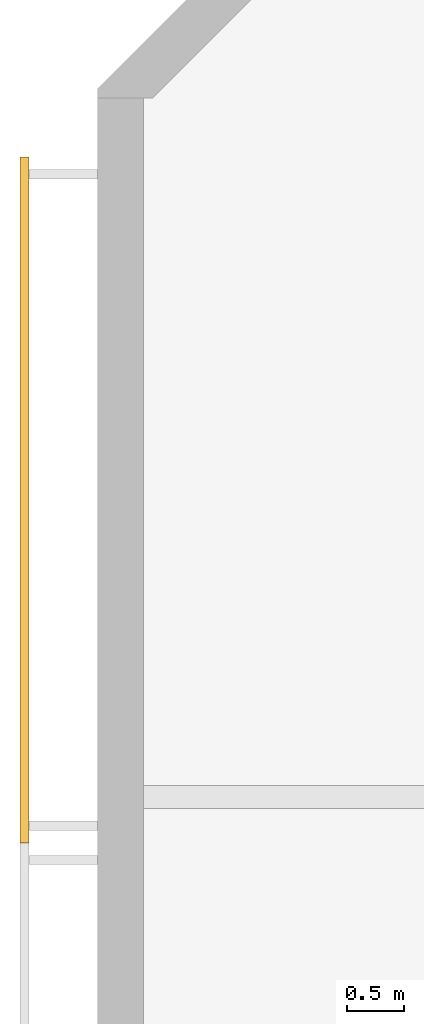
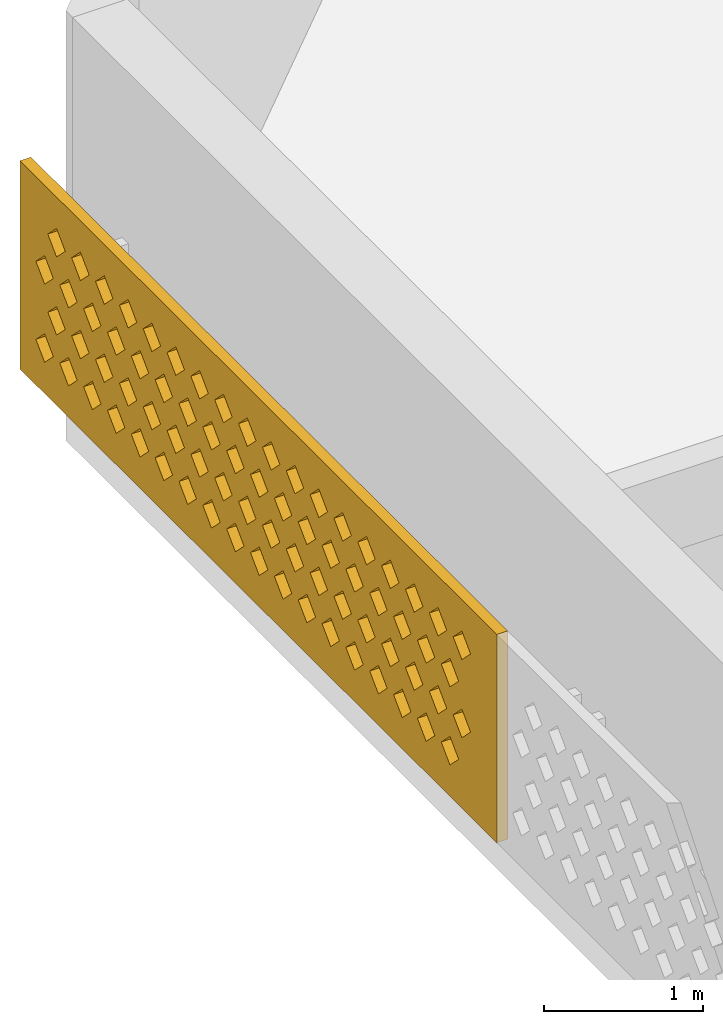
# One storey, part 12 of 18: 1 covering.
"""IFC4 building model written with IfcOpenShell, lengths in metres."""

from ifc_helpers import new_model, si_unit, direction, frame, origin, place, context, subcontext, project, spatial, polyline, outline, extrude, source, transform, mapped, material, material_profile, profile_set, type_object, element, save


model = new_model("IFC4")

# Units and contexts
model_context = context("Model", 3, precision=1e-05, world=origin(), true_north=direction((0.0, 1.0)))
body_context = subcontext(model_context, "Body", "Model", "MODEL_VIEW")
ifc_project = project(units=[si_unit("LENGTHUNIT", "METRE"), si_unit("AREAUNIT", "SQUARE_METRE"), si_unit("VOLUMEUNIT", "CUBIC_METRE"), si_unit("PLANEANGLEUNIT", "RADIAN"), si_unit("MASSUNIT", "GRAM", prefix="KILO")], contexts=[model_context])

# Site, building, storey
site_placement = place(None, origin())
site = spatial("IfcSite", under=ifc_project, at=site_placement, CompositionType="ELEMENT")
building_placement = place(site_placement, origin())
building = spatial("IfcBuilding", under=site, at=building_placement, Name="Poui Terraces", CompositionType="ELEMENT")
storey_placement = place(building_placement, frame((0.0, 0.0, 275.699951171875)))
storey = spatial("IfcBuildingStorey", under=building, at=storey_placement, Name="L76 CROWN", CompositionType="ELEMENT", Elevation=275.699951171875)

# Covering
ifc_material = material(Name="Terracotta screen", Category="masonry")
ifc_material_profile = material_profile(ifc_material, outline(polyline([(-3.0, -0.800048828125), (3.0, -0.800048828125), (3.0, 0.800048828125), (-3.0, 0.800048828125), (-3.0, -0.800048828125)]), holes=[polyline([(-2.800048828125, -0.449951171875), (-2.68994140625, -0.56005859375), (-2.580078125, -0.449951171875), (-2.68994140625, -0.340087890625), (-2.800048828125, -0.449951171875)]), polyline([(-2.5, -0.449951171875), (-2.389892578125, -0.56005859375), (-2.280029296875, -0.449951171875), (-2.389892578125, -0.340087890625), (-2.5, -0.449951171875)]), polyline([(-2.199951171875, -0.449951171875), (-2.090087890625, -0.56005859375), (-1.97998046875, -0.449951171875), (-2.090087890625, -0.340087890625), (-2.199951171875, -0.449951171875)]), polyline([(-1.89990234375, -0.449951171875), (-1.7900390625, -0.56005859375), (-1.679931640625, -0.449951171875), (-1.7900390625, -0.340087890625), (-1.89990234375, -0.449951171875)]), polyline([(-1.60009765625, -0.449951171875), (-1.489990234375, -0.56005859375), (-1.3798828125, -0.449951171875), (-1.489990234375, -0.340087890625), (-1.60009765625, -0.449951171875)]), polyline([(-1.300048828125, -0.449951171875), (-1.18994140625, -0.56005859375), (-1.080078125, -0.449951171875), (-1.18994140625, -0.340087890625), (-1.300048828125, -0.449951171875)]), polyline([(-1.0, -0.449951171875), (-0.889892578125, -0.56005859375), (-0.780029296875, -0.449951171875), (-0.889892578125, -0.340087890625), (-1.0, -0.449951171875)]), polyline([(-0.699951171875, -0.449951171875), (-0.590087890625, -0.56005859375), (-0.47998046875, -0.449951171875), (-0.590087890625, -0.340087890625), (-0.699951171875, -0.449951171875)]), polyline([(-0.39990234375, -0.449951171875), (-0.2900390625, -0.56005859375), (-0.179931640625, -0.449951171875), (-0.2900390625, -0.340087890625), (-0.39990234375, -0.449951171875)]), polyline([(-0.10009765625, -0.449951171875), (0.010009765625, -0.56005859375), (0.1201171875, -0.449951171875), (0.010009765625, -0.340087890625), (-0.10009765625, -0.449951171875)]), polyline([(0.199951171875, -0.449951171875), (0.31005859375, -0.56005859375), (0.419921875, -0.449951171875), (0.31005859375, -0.340087890625), (0.199951171875, -0.449951171875)]), polyline([(0.5, -0.449951171875), (0.610107421875, -0.56005859375), (0.719970703125, -0.449951171875), (0.610107421875, -0.340087890625), (0.5, -0.449951171875)]), polyline([(0.800048828125, -0.449951171875), (0.909912109375, -0.56005859375), (1.02001953125, -0.449951171875), (0.909912109375, -0.340087890625), (0.800048828125, -0.449951171875)]), polyline([(1.10009765625, -0.449951171875), (1.2099609375, -0.56005859375), (1.320068359375, -0.449951171875), (1.2099609375, -0.340087890625), (1.10009765625, -0.449951171875)]), polyline([(1.39990234375, -0.449951171875), (1.510009765625, -0.56005859375), (1.6201171875, -0.449951171875), (1.510009765625, -0.340087890625), (1.39990234375, -0.449951171875)]), polyline([(1.699951171875, -0.449951171875), (1.81005859375, -0.56005859375), (1.919921875, -0.449951171875), (1.81005859375, -0.340087890625), (1.699951171875, -0.449951171875)]), polyline([(2.0, -0.449951171875), (2.110107421875, -0.56005859375), (2.219970703125, -0.449951171875), (2.110107421875, -0.340087890625), (2.0, -0.449951171875)]), polyline([(2.300048828125, -0.449951171875), (2.409912109375, -0.56005859375), (2.52001953125, -0.449951171875), (2.409912109375, -0.340087890625), (2.300048828125, -0.449951171875)]), polyline([(-2.64990234375, -0.14990234375), (-2.5400390625, -0.260009765625), (-2.429931640625, -0.14990234375), (-2.5400390625, -0.0400390625), (-2.64990234375, -0.14990234375)]), polyline([(-2.35009765625, -0.14990234375), (-2.239990234375, -0.260009765625), (-2.1298828125, -0.14990234375), (-2.239990234375, -0.0400390625), (-2.35009765625, -0.14990234375)]), polyline([(-2.050048828125, -0.14990234375), (-1.93994140625, -0.260009765625), (-1.830078125, -0.14990234375), (-1.93994140625, -0.0400390625), (-2.050048828125, -0.14990234375)]), polyline([(-1.75, -0.14990234375), (-1.639892578125, -0.260009765625), (-1.530029296875, -0.14990234375), (-1.639892578125, -0.0400390625), (-1.75, -0.14990234375)]), polyline([(-1.449951171875, -0.14990234375), (-1.340087890625, -0.260009765625), (-1.22998046875, -0.14990234375), (-1.340087890625, -0.0400390625), (-1.449951171875, -0.14990234375)]), polyline([(-1.14990234375, -0.14990234375), (-1.0400390625, -0.260009765625), (-0.929931640625, -0.14990234375), (-1.0400390625, -0.0400390625), (-1.14990234375, -0.14990234375)]), polyline([(-0.85009765625, -0.14990234375), (-0.739990234375, -0.260009765625), (-0.6298828125, -0.14990234375), (-0.739990234375, -0.0400390625), (-0.85009765625, -0.14990234375)]), polyline([(-0.550048828125, -0.14990234375), (-0.43994140625, -0.260009765625), (-0.330078125, -0.14990234375), (-0.43994140625, -0.0400390625), (-0.550048828125, -0.14990234375)]), polyline([(-0.25, -0.14990234375), (-0.139892578125, -0.260009765625), (-0.030029296875, -0.14990234375), (-0.139892578125, -0.0400390625), (-0.25, -0.14990234375)]), polyline([(0.050048828125, -0.14990234375), (0.159912109375, -0.260009765625), (0.27001953125, -0.14990234375), (0.159912109375, -0.0400390625), (0.050048828125, -0.14990234375)]), polyline([(0.35009765625, -0.14990234375), (0.4599609375, -0.260009765625), (0.570068359375, -0.14990234375), (0.4599609375, -0.0400390625), (0.35009765625, -0.14990234375)]), polyline([(0.64990234375, -0.14990234375), (0.760009765625, -0.260009765625), (0.8701171875, -0.14990234375), (0.760009765625, -0.0400390625), (0.64990234375, -0.14990234375)]), polyline([(0.949951171875, -0.14990234375), (1.06005859375, -0.260009765625), (1.169921875, -0.14990234375), (1.06005859375, -0.0400390625), (0.949951171875, -0.14990234375)]), polyline([(1.25, -0.14990234375), (1.360107421875, -0.260009765625), (1.469970703125, -0.14990234375), (1.360107421875, -0.0400390625), (1.25, -0.14990234375)]), polyline([(1.550048828125, -0.14990234375), (1.659912109375, -0.260009765625), (1.77001953125, -0.14990234375), (1.659912109375, -0.0400390625), (1.550048828125, -0.14990234375)]), polyline([(1.85009765625, -0.14990234375), (1.9599609375, -0.260009765625), (2.070068359375, -0.14990234375), (1.9599609375, -0.0400390625), (1.85009765625, -0.14990234375)]), polyline([(2.14990234375, -0.14990234375), (2.260009765625, -0.260009765625), (2.3701171875, -0.14990234375), (2.260009765625, -0.0400390625), (2.14990234375, -0.14990234375)]), polyline([(2.449951171875, -0.14990234375), (2.56005859375, -0.260009765625), (2.669921875, -0.14990234375), (2.56005859375, -0.0400390625), (2.449951171875, -0.14990234375)]), polyline([(-2.800048828125, 0.14990234375), (-2.68994140625, 0.0400390625), (-2.580078125, 0.14990234375), (-2.68994140625, 0.260009765625), (-2.800048828125, 0.14990234375)]), polyline([(-2.5, 0.14990234375), (-2.389892578125, 0.0400390625), (-2.280029296875, 0.14990234375), (-2.389892578125, 0.260009765625), (-2.5, 0.14990234375)]), polyline([(-2.199951171875, 0.14990234375), (-2.090087890625, 0.0400390625), (-1.97998046875, 0.14990234375), (-2.090087890625, 0.260009765625), (-2.199951171875, 0.14990234375)]), polyline([(-1.89990234375, 0.14990234375), (-1.7900390625, 0.0400390625), (-1.679931640625, 0.14990234375), (-1.7900390625, 0.260009765625), (-1.89990234375, 0.14990234375)]), polyline([(-1.60009765625, 0.14990234375), (-1.489990234375, 0.0400390625), (-1.3798828125, 0.14990234375), (-1.489990234375, 0.260009765625), (-1.60009765625, 0.14990234375)]), polyline([(-1.300048828125, 0.14990234375), (-1.18994140625, 0.0400390625), (-1.080078125, 0.14990234375), (-1.18994140625, 0.260009765625), (-1.300048828125, 0.14990234375)]), polyline([(-1.0, 0.14990234375), (-0.889892578125, 0.0400390625), (-0.780029296875, 0.14990234375), (-0.889892578125, 0.260009765625), (-1.0, 0.14990234375)]), polyline([(-0.699951171875, 0.14990234375), (-0.590087890625, 0.0400390625), (-0.47998046875, 0.14990234375), (-0.590087890625, 0.260009765625), (-0.699951171875, 0.14990234375)]), polyline([(-0.39990234375, 0.14990234375), (-0.2900390625, 0.0400390625), (-0.179931640625, 0.14990234375), (-0.2900390625, 0.260009765625), (-0.39990234375, 0.14990234375)]), polyline([(-0.10009765625, 0.14990234375), (0.010009765625, 0.0400390625), (0.1201171875, 0.14990234375), (0.010009765625, 0.260009765625), (-0.10009765625, 0.14990234375)]), polyline([(0.199951171875, 0.14990234375), (0.31005859375, 0.0400390625), (0.419921875, 0.14990234375), (0.31005859375, 0.260009765625), (0.199951171875, 0.14990234375)]), polyline([(0.5, 0.14990234375), (0.610107421875, 0.0400390625), (0.719970703125, 0.14990234375), (0.610107421875, 0.260009765625), (0.5, 0.14990234375)]), polyline([(0.800048828125, 0.14990234375), (0.909912109375, 0.0400390625), (1.02001953125, 0.14990234375), (0.909912109375, 0.260009765625), (0.800048828125, 0.14990234375)]), polyline([(1.10009765625, 0.14990234375), (1.2099609375, 0.0400390625), (1.320068359375, 0.14990234375), (1.2099609375, 0.260009765625), (1.10009765625, 0.14990234375)]), polyline([(1.39990234375, 0.14990234375), (1.510009765625, 0.0400390625), (1.6201171875, 0.14990234375), (1.510009765625, 0.260009765625), (1.39990234375, 0.14990234375)]), polyline([(1.699951171875, 0.14990234375), (1.81005859375, 0.0400390625), (1.919921875, 0.14990234375), (1.81005859375, 0.260009765625), (1.699951171875, 0.14990234375)]), polyline([(2.0, 0.14990234375), (2.110107421875, 0.0400390625), (2.219970703125, 0.14990234375), (2.110107421875, 0.260009765625), (2.0, 0.14990234375)]), polyline([(2.300048828125, 0.14990234375), (2.409912109375, 0.0400390625), (2.52001953125, 0.14990234375), (2.409912109375, 0.260009765625), (2.300048828125, 0.14990234375)]), polyline([(-2.64990234375, 0.449951171875), (-2.5400390625, 0.340087890625), (-2.429931640625, 0.449951171875), (-2.5400390625, 0.56005859375), (-2.64990234375, 0.449951171875)]), polyline([(-2.35009765625, 0.449951171875), (-2.239990234375, 0.340087890625), (-2.1298828125, 0.449951171875), (-2.239990234375, 0.56005859375), (-2.35009765625, 0.449951171875)]), polyline([(-2.050048828125, 0.449951171875), (-1.93994140625, 0.340087890625), (-1.830078125, 0.449951171875), (-1.93994140625, 0.56005859375), (-2.050048828125, 0.449951171875)]), polyline([(-1.75, 0.449951171875), (-1.639892578125, 0.340087890625), (-1.530029296875, 0.449951171875), (-1.639892578125, 0.56005859375), (-1.75, 0.449951171875)]), polyline([(-1.449951171875, 0.449951171875), (-1.340087890625, 0.340087890625), (-1.22998046875, 0.449951171875), (-1.340087890625, 0.56005859375), (-1.449951171875, 0.449951171875)]), polyline([(-1.14990234375, 0.449951171875), (-1.0400390625, 0.340087890625), (-0.929931640625, 0.449951171875), (-1.0400390625, 0.56005859375), (-1.14990234375, 0.449951171875)]), polyline([(-0.85009765625, 0.449951171875), (-0.739990234375, 0.340087890625), (-0.6298828125, 0.449951171875), (-0.739990234375, 0.56005859375), (-0.85009765625, 0.449951171875)]), polyline([(-0.550048828125, 0.449951171875), (-0.43994140625, 0.340087890625), (-0.330078125, 0.449951171875), (-0.43994140625, 0.56005859375), (-0.550048828125, 0.449951171875)]), polyline([(-0.25, 0.449951171875), (-0.139892578125, 0.340087890625), (-0.030029296875, 0.449951171875), (-0.139892578125, 0.56005859375), (-0.25, 0.449951171875)]), polyline([(0.050048828125, 0.449951171875), (0.159912109375, 0.340087890625), (0.27001953125, 0.449951171875), (0.159912109375, 0.56005859375), (0.050048828125, 0.449951171875)]), polyline([(0.35009765625, 0.449951171875), (0.4599609375, 0.340087890625), (0.570068359375, 0.449951171875), (0.4599609375, 0.56005859375), (0.35009765625, 0.449951171875)]), polyline([(0.64990234375, 0.449951171875), (0.760009765625, 0.340087890625), (0.8701171875, 0.449951171875), (0.760009765625, 0.56005859375), (0.64990234375, 0.449951171875)]), polyline([(0.949951171875, 0.449951171875), (1.06005859375, 0.340087890625), (1.169921875, 0.449951171875), (1.06005859375, 0.56005859375), (0.949951171875, 0.449951171875)]), polyline([(1.25, 0.449951171875), (1.360107421875, 0.340087890625), (1.469970703125, 0.449951171875), (1.360107421875, 0.56005859375), (1.25, 0.449951171875)]), polyline([(1.550048828125, 0.449951171875), (1.659912109375, 0.340087890625), (1.77001953125, 0.449951171875), (1.659912109375, 0.56005859375), (1.550048828125, 0.449951171875)]), polyline([(1.85009765625, 0.449951171875), (1.9599609375, 0.340087890625), (2.070068359375, 0.449951171875), (1.9599609375, 0.56005859375), (1.85009765625, 0.449951171875)]), polyline([(2.14990234375, 0.449951171875), (2.260009765625, 0.340087890625), (2.3701171875, 0.449951171875), (2.260009765625, 0.56005859375), (2.14990234375, 0.449951171875)]), polyline([(2.449951171875, 0.449951171875), (2.56005859375, 0.340087890625), (2.669921875, 0.449951171875), (2.56005859375, 0.56005859375), (2.449951171875, 0.449951171875)])]), Name="TERRACOTTA SOLAR SCREEN 6000X1600")
ifc_profile_set = profile_set([ifc_material_profile], Name="Terracotta screen")
covering_type = type_object("IfcCoveringType", Name="TERRACOTTA SOLAR SCREEN 6000X1600", PredefinedType="CLADDING", material=ifc_profile_set)
shared_shape = source(origin(), body_context, "Body", "SweptSolid", [
    extrude(outline(polyline([(-3.0, -0.800048828125), (3.0, -0.800048828125), (3.0, 0.800048828125), (-3.0, 0.800048828125), (-3.0, -0.800048828125)]), holes=[polyline([(-2.800048828125, -0.449951171875), (-2.68994140625, -0.56005859375), (-2.580078125, -0.449951171875), (-2.68994140625, -0.340087890625), (-2.800048828125, -0.449951171875)]), polyline([(-2.5, -0.449951171875), (-2.389892578125, -0.56005859375), (-2.280029296875, -0.449951171875), (-2.389892578125, -0.340087890625), (-2.5, -0.449951171875)]), polyline([(-2.199951171875, -0.449951171875), (-2.090087890625, -0.56005859375), (-1.97998046875, -0.449951171875), (-2.090087890625, -0.340087890625), (-2.199951171875, -0.449951171875)]), polyline([(-1.89990234375, -0.449951171875), (-1.7900390625, -0.56005859375), (-1.679931640625, -0.449951171875), (-1.7900390625, -0.340087890625), (-1.89990234375, -0.449951171875)]), polyline([(-1.60009765625, -0.449951171875), (-1.489990234375, -0.56005859375), (-1.3798828125, -0.449951171875), (-1.489990234375, -0.340087890625), (-1.60009765625, -0.449951171875)]), polyline([(-1.300048828125, -0.449951171875), (-1.18994140625, -0.56005859375), (-1.080078125, -0.449951171875), (-1.18994140625, -0.340087890625), (-1.300048828125, -0.449951171875)]), polyline([(-1.0, -0.449951171875), (-0.889892578125, -0.56005859375), (-0.780029296875, -0.449951171875), (-0.889892578125, -0.340087890625), (-1.0, -0.449951171875)]), polyline([(-0.699951171875, -0.449951171875), (-0.590087890625, -0.56005859375), (-0.47998046875, -0.449951171875), (-0.590087890625, -0.340087890625), (-0.699951171875, -0.449951171875)]), polyline([(-0.39990234375, -0.449951171875), (-0.2900390625, -0.56005859375), (-0.179931640625, -0.449951171875), (-0.2900390625, -0.340087890625), (-0.39990234375, -0.449951171875)]), polyline([(-0.10009765625, -0.449951171875), (0.010009765625, -0.56005859375), (0.1201171875, -0.449951171875), (0.010009765625, -0.340087890625), (-0.10009765625, -0.449951171875)]), polyline([(0.199951171875, -0.449951171875), (0.31005859375, -0.56005859375), (0.419921875, -0.449951171875), (0.31005859375, -0.340087890625), (0.199951171875, -0.449951171875)]), polyline([(0.5, -0.449951171875), (0.610107421875, -0.56005859375), (0.719970703125, -0.449951171875), (0.610107421875, -0.340087890625), (0.5, -0.449951171875)]), polyline([(0.800048828125, -0.449951171875), (0.909912109375, -0.56005859375), (1.02001953125, -0.449951171875), (0.909912109375, -0.340087890625), (0.800048828125, -0.449951171875)]), polyline([(1.10009765625, -0.449951171875), (1.2099609375, -0.56005859375), (1.320068359375, -0.449951171875), (1.2099609375, -0.340087890625), (1.10009765625, -0.449951171875)]), polyline([(1.39990234375, -0.449951171875), (1.510009765625, -0.56005859375), (1.6201171875, -0.449951171875), (1.510009765625, -0.340087890625), (1.39990234375, -0.449951171875)]), polyline([(1.699951171875, -0.449951171875), (1.81005859375, -0.56005859375), (1.919921875, -0.449951171875), (1.81005859375, -0.340087890625), (1.699951171875, -0.449951171875)]), polyline([(2.0, -0.449951171875), (2.110107421875, -0.56005859375), (2.219970703125, -0.449951171875), (2.110107421875, -0.340087890625), (2.0, -0.449951171875)]), polyline([(2.300048828125, -0.449951171875), (2.409912109375, -0.56005859375), (2.52001953125, -0.449951171875), (2.409912109375, -0.340087890625), (2.300048828125, -0.449951171875)]), polyline([(-2.64990234375, -0.14990234375), (-2.5400390625, -0.260009765625), (-2.429931640625, -0.14990234375), (-2.5400390625, -0.0400390625), (-2.64990234375, -0.14990234375)]), polyline([(-2.35009765625, -0.14990234375), (-2.239990234375, -0.260009765625), (-2.1298828125, -0.14990234375), (-2.239990234375, -0.0400390625), (-2.35009765625, -0.14990234375)]), polyline([(-2.050048828125, -0.14990234375), (-1.93994140625, -0.260009765625), (-1.830078125, -0.14990234375), (-1.93994140625, -0.0400390625), (-2.050048828125, -0.14990234375)]), polyline([(-1.75, -0.14990234375), (-1.639892578125, -0.260009765625), (-1.530029296875, -0.14990234375), (-1.639892578125, -0.0400390625), (-1.75, -0.14990234375)]), polyline([(-1.449951171875, -0.14990234375), (-1.340087890625, -0.260009765625), (-1.22998046875, -0.14990234375), (-1.340087890625, -0.0400390625), (-1.449951171875, -0.14990234375)]), polyline([(-1.14990234375, -0.14990234375), (-1.0400390625, -0.260009765625), (-0.929931640625, -0.14990234375), (-1.0400390625, -0.0400390625), (-1.14990234375, -0.14990234375)]), polyline([(-0.85009765625, -0.14990234375), (-0.739990234375, -0.260009765625), (-0.6298828125, -0.14990234375), (-0.739990234375, -0.0400390625), (-0.85009765625, -0.14990234375)]), polyline([(-0.550048828125, -0.14990234375), (-0.43994140625, -0.260009765625), (-0.330078125, -0.14990234375), (-0.43994140625, -0.0400390625), (-0.550048828125, -0.14990234375)]), polyline([(-0.25, -0.14990234375), (-0.139892578125, -0.260009765625), (-0.030029296875, -0.14990234375), (-0.139892578125, -0.0400390625), (-0.25, -0.14990234375)]), polyline([(0.050048828125, -0.14990234375), (0.159912109375, -0.260009765625), (0.27001953125, -0.14990234375), (0.159912109375, -0.0400390625), (0.050048828125, -0.14990234375)]), polyline([(0.35009765625, -0.14990234375), (0.4599609375, -0.260009765625), (0.570068359375, -0.14990234375), (0.4599609375, -0.0400390625), (0.35009765625, -0.14990234375)]), polyline([(0.64990234375, -0.14990234375), (0.760009765625, -0.260009765625), (0.8701171875, -0.14990234375), (0.760009765625, -0.0400390625), (0.64990234375, -0.14990234375)]), polyline([(0.949951171875, -0.14990234375), (1.06005859375, -0.260009765625), (1.169921875, -0.14990234375), (1.06005859375, -0.0400390625), (0.949951171875, -0.14990234375)]), polyline([(1.25, -0.14990234375), (1.360107421875, -0.260009765625), (1.469970703125, -0.14990234375), (1.360107421875, -0.0400390625), (1.25, -0.14990234375)]), polyline([(1.550048828125, -0.14990234375), (1.659912109375, -0.260009765625), (1.77001953125, -0.14990234375), (1.659912109375, -0.0400390625), (1.550048828125, -0.14990234375)]), polyline([(1.85009765625, -0.14990234375), (1.9599609375, -0.260009765625), (2.070068359375, -0.14990234375), (1.9599609375, -0.0400390625), (1.85009765625, -0.14990234375)]), polyline([(2.14990234375, -0.14990234375), (2.260009765625, -0.260009765625), (2.3701171875, -0.14990234375), (2.260009765625, -0.0400390625), (2.14990234375, -0.14990234375)]), polyline([(2.449951171875, -0.14990234375), (2.56005859375, -0.260009765625), (2.669921875, -0.14990234375), (2.56005859375, -0.0400390625), (2.449951171875, -0.14990234375)]), polyline([(-2.800048828125, 0.14990234375), (-2.68994140625, 0.0400390625), (-2.580078125, 0.14990234375), (-2.68994140625, 0.260009765625), (-2.800048828125, 0.14990234375)]), polyline([(-2.5, 0.14990234375), (-2.389892578125, 0.0400390625), (-2.280029296875, 0.14990234375), (-2.389892578125, 0.260009765625), (-2.5, 0.14990234375)]), polyline([(-2.199951171875, 0.14990234375), (-2.090087890625, 0.0400390625), (-1.97998046875, 0.14990234375), (-2.090087890625, 0.260009765625), (-2.199951171875, 0.14990234375)]), polyline([(-1.89990234375, 0.14990234375), (-1.7900390625, 0.0400390625), (-1.679931640625, 0.14990234375), (-1.7900390625, 0.260009765625), (-1.89990234375, 0.14990234375)]), polyline([(-1.60009765625, 0.14990234375), (-1.489990234375, 0.0400390625), (-1.3798828125, 0.14990234375), (-1.489990234375, 0.260009765625), (-1.60009765625, 0.14990234375)]), polyline([(-1.300048828125, 0.14990234375), (-1.18994140625, 0.0400390625), (-1.080078125, 0.14990234375), (-1.18994140625, 0.260009765625), (-1.300048828125, 0.14990234375)]), polyline([(-1.0, 0.14990234375), (-0.889892578125, 0.0400390625), (-0.780029296875, 0.14990234375), (-0.889892578125, 0.260009765625), (-1.0, 0.14990234375)]), polyline([(-0.699951171875, 0.14990234375), (-0.590087890625, 0.0400390625), (-0.47998046875, 0.14990234375), (-0.590087890625, 0.260009765625), (-0.699951171875, 0.14990234375)]), polyline([(-0.39990234375, 0.14990234375), (-0.2900390625, 0.0400390625), (-0.179931640625, 0.14990234375), (-0.2900390625, 0.260009765625), (-0.39990234375, 0.14990234375)]), polyline([(-0.10009765625, 0.14990234375), (0.010009765625, 0.0400390625), (0.1201171875, 0.14990234375), (0.010009765625, 0.260009765625), (-0.10009765625, 0.14990234375)]), polyline([(0.199951171875, 0.14990234375), (0.31005859375, 0.0400390625), (0.419921875, 0.14990234375), (0.31005859375, 0.260009765625), (0.199951171875, 0.14990234375)]), polyline([(0.5, 0.14990234375), (0.610107421875, 0.0400390625), (0.719970703125, 0.14990234375), (0.610107421875, 0.260009765625), (0.5, 0.14990234375)]), polyline([(0.800048828125, 0.14990234375), (0.909912109375, 0.0400390625), (1.02001953125, 0.14990234375), (0.909912109375, 0.260009765625), (0.800048828125, 0.14990234375)]), polyline([(1.10009765625, 0.14990234375), (1.2099609375, 0.0400390625), (1.320068359375, 0.14990234375), (1.2099609375, 0.260009765625), (1.10009765625, 0.14990234375)]), polyline([(1.39990234375, 0.14990234375), (1.510009765625, 0.0400390625), (1.6201171875, 0.14990234375), (1.510009765625, 0.260009765625), (1.39990234375, 0.14990234375)]), polyline([(1.699951171875, 0.14990234375), (1.81005859375, 0.0400390625), (1.919921875, 0.14990234375), (1.81005859375, 0.260009765625), (1.699951171875, 0.14990234375)]), polyline([(2.0, 0.14990234375), (2.110107421875, 0.0400390625), (2.219970703125, 0.14990234375), (2.110107421875, 0.260009765625), (2.0, 0.14990234375)]), polyline([(2.300048828125, 0.14990234375), (2.409912109375, 0.0400390625), (2.52001953125, 0.14990234375), (2.409912109375, 0.260009765625), (2.300048828125, 0.14990234375)]), polyline([(-2.64990234375, 0.449951171875), (-2.5400390625, 0.340087890625), (-2.429931640625, 0.449951171875), (-2.5400390625, 0.56005859375), (-2.64990234375, 0.449951171875)]), polyline([(-2.35009765625, 0.449951171875), (-2.239990234375, 0.340087890625), (-2.1298828125, 0.449951171875), (-2.239990234375, 0.56005859375), (-2.35009765625, 0.449951171875)]), polyline([(-2.050048828125, 0.449951171875), (-1.93994140625, 0.340087890625), (-1.830078125, 0.449951171875), (-1.93994140625, 0.56005859375), (-2.050048828125, 0.449951171875)]), polyline([(-1.75, 0.449951171875), (-1.639892578125, 0.340087890625), (-1.530029296875, 0.449951171875), (-1.639892578125, 0.56005859375), (-1.75, 0.449951171875)]), polyline([(-1.449951171875, 0.449951171875), (-1.340087890625, 0.340087890625), (-1.22998046875, 0.449951171875), (-1.340087890625, 0.56005859375), (-1.449951171875, 0.449951171875)]), polyline([(-1.14990234375, 0.449951171875), (-1.0400390625, 0.340087890625), (-0.929931640625, 0.449951171875), (-1.0400390625, 0.56005859375), (-1.14990234375, 0.449951171875)]), polyline([(-0.85009765625, 0.449951171875), (-0.739990234375, 0.340087890625), (-0.6298828125, 0.449951171875), (-0.739990234375, 0.56005859375), (-0.85009765625, 0.449951171875)]), polyline([(-0.550048828125, 0.449951171875), (-0.43994140625, 0.340087890625), (-0.330078125, 0.449951171875), (-0.43994140625, 0.56005859375), (-0.550048828125, 0.449951171875)]), polyline([(-0.25, 0.449951171875), (-0.139892578125, 0.340087890625), (-0.030029296875, 0.449951171875), (-0.139892578125, 0.56005859375), (-0.25, 0.449951171875)]), polyline([(0.050048828125, 0.449951171875), (0.159912109375, 0.340087890625), (0.27001953125, 0.449951171875), (0.159912109375, 0.56005859375), (0.050048828125, 0.449951171875)]), polyline([(0.35009765625, 0.449951171875), (0.4599609375, 0.340087890625), (0.570068359375, 0.449951171875), (0.4599609375, 0.56005859375), (0.35009765625, 0.449951171875)]), polyline([(0.64990234375, 0.449951171875), (0.760009765625, 0.340087890625), (0.8701171875, 0.449951171875), (0.760009765625, 0.56005859375), (0.64990234375, 0.449951171875)]), polyline([(0.949951171875, 0.449951171875), (1.06005859375, 0.340087890625), (1.169921875, 0.449951171875), (1.06005859375, 0.56005859375), (0.949951171875, 0.449951171875)]), polyline([(1.25, 0.449951171875), (1.360107421875, 0.340087890625), (1.469970703125, 0.449951171875), (1.360107421875, 0.56005859375), (1.25, 0.449951171875)]), polyline([(1.550048828125, 0.449951171875), (1.659912109375, 0.340087890625), (1.77001953125, 0.449951171875), (1.659912109375, 0.56005859375), (1.550048828125, 0.449951171875)]), polyline([(1.85009765625, 0.449951171875), (1.9599609375, 0.340087890625), (2.070068359375, 0.449951171875), (1.9599609375, 0.56005859375), (1.85009765625, 0.449951171875)]), polyline([(2.14990234375, 0.449951171875), (2.260009765625, 0.340087890625), (2.3701171875, 0.449951171875), (2.260009765625, 0.56005859375), (2.14990234375, 0.449951171875)]), polyline([(2.449951171875, 0.449951171875), (2.56005859375, 0.340087890625), (2.669921875, 0.449951171875), (2.56005859375, 0.56005859375), (2.449951171875, 0.449951171875)])]), origin(), (0.0, 0.0, 1.0), 0.079833984375),
])
covering_placement = place(storey_placement, frame((17.199951171875, 33.0, 1.699951171875), z_axis=(-1.0, 0.0, 0.0), x_axis=(0.0, -1.0, 0.0)))
element("IfcCovering", 1, at=covering_placement, inside=storey, type_object=covering_type, Name="SOLAR SCREEN", PredefinedType="CLADDING", context=body_context, shape_type="MappedRepresentation", body=[
    mapped(shared_shape, transform((0.0, 0.0, 0.0))),
])

save(model, "model.ifc")
